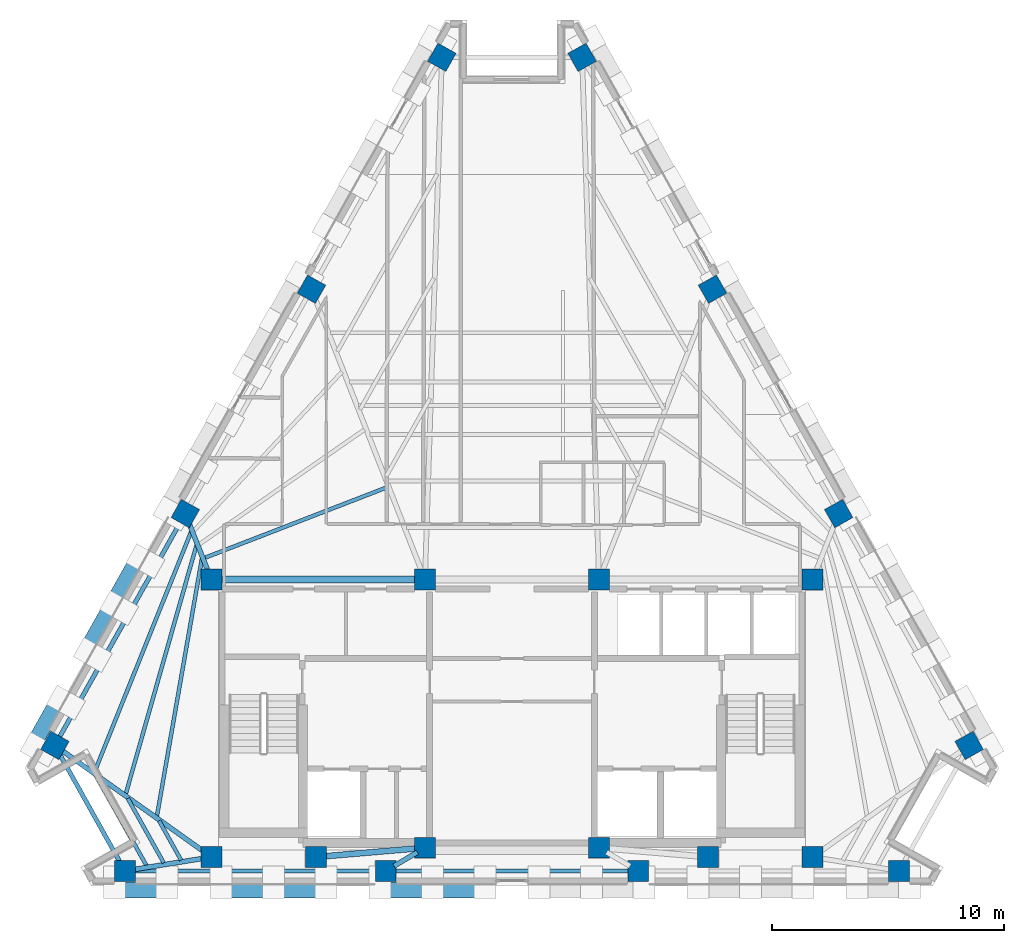
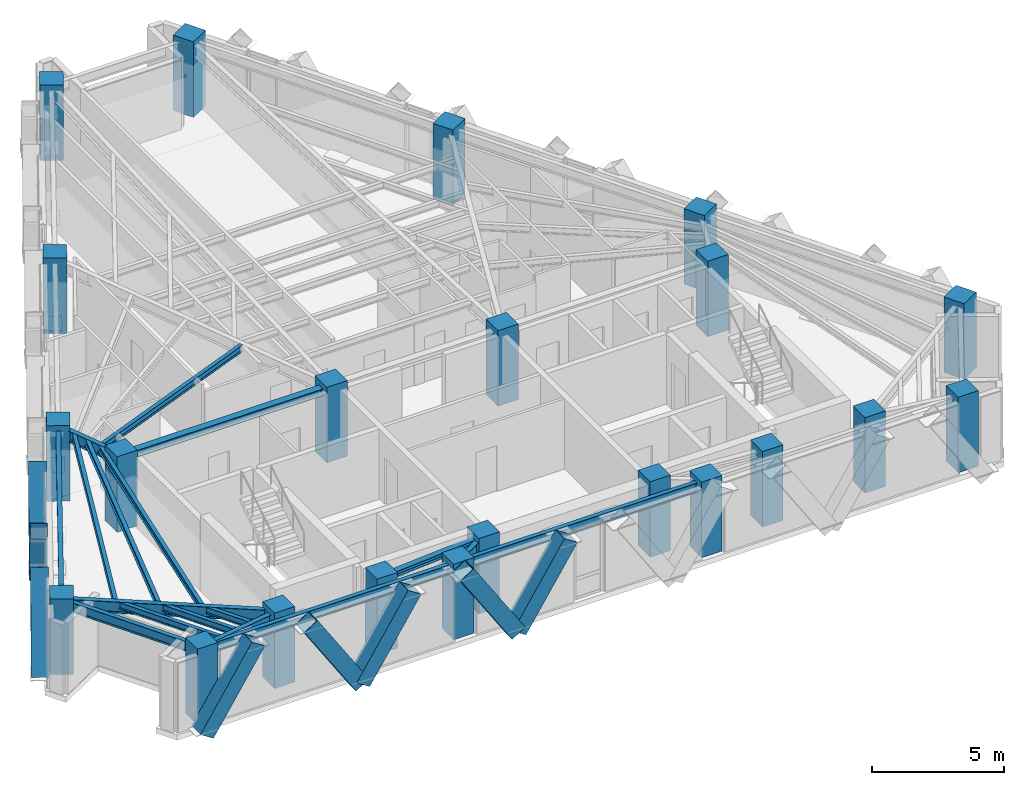
# One storey, part 1 of 12: 22 columns, 17 beams, 8 members.
"""IFC4 building model written with IfcOpenShell, lengths in metres."""

from ifc_helpers import new_model, si_unit, direction, frame, origin, origin_2d, place, context, subcontext, project, spatial, rectangle, hollow_rectangle, i_section, extrude, material, material_profile, profile_set, type_object, element, save


model = new_model("IFC4")

# Units and contexts
model_context = context("Model", 3, precision=1e-05, world=origin(), true_north=direction((0.0, 1.0)))
body_context = subcontext(model_context, "Body", "Model", "MODEL_VIEW")
ifc_project = project(units=[si_unit("LENGTHUNIT", "METRE"), si_unit("AREAUNIT", "SQUARE_METRE"), si_unit("VOLUMEUNIT", "CUBIC_METRE"), si_unit("PLANEANGLEUNIT", "RADIAN"), si_unit("MASSUNIT", "GRAM", prefix="KILO")], contexts=[model_context])

# Site, building, storey
site_placement = place(None, origin())
site = spatial("IfcSite", under=ifc_project, at=site_placement, CompositionType="ELEMENT")
building_placement = place(site_placement, origin())
building = spatial("IfcBuilding", under=site, at=building_placement, Name="Quenlor Broadcast Tower", CompositionType="ELEMENT")
storey_placement = place(building_placement, frame((0.0, 0.0, 190.39990234375)))
storey = spatial("IfcBuildingStorey", under=building, at=storey_placement, Name="L52", CompositionType="ELEMENT", Elevation=190.39990234375)

# Columns
ifc_material_1 = material(Name="Concrete C50/60", Category="concrete")
ifc_material_profile_1 = material_profile(ifc_material_1, rectangle(XDim=0.89990234375, YDim=0.89990234375, at=origin_2d()))
ifc_profile_set_1 = profile_set([ifc_material_profile_1], Name="Concrete C50/60 RC900x900")
column_type_1 = type_object("IfcColumnType", Name="Core Corner Column Upper Concrete C50/60 900", PredefinedType="COLUMN", material=ifc_profile_set_1)
for number, where, z_axis, x_axis, name in (
    (1, (-12.949951171875, -16.75, 0.0), (0.0, 0.0, 1.0), (1.0, 0.0, 0.0), "L52 Core Column CC1"),
    (2, (-8.449951171875, -16.75, 0.0), (0.0, 0.0, 1.0), (1.0, 0.0, 0.0), "L52 Core Column CC2"),
    (3, (-3.75, -16.35009765625, 0.0), (0.0, 0.0, 1.0), (1.0, 0.0, 0.0), "L52 Core Column CC3"),
    (4, (3.75, -16.35009765625, 0.0), (0.0, 0.0, 1.0), (1.0, 0.0, 0.0), "L52 Core Column CC4"),
    (5, (8.449951171875, -16.75, 0.0), (0.0, 0.0, 1.0), (1.0, 0.0, 0.0), "L52 Core Column CC5"),
    (6, (12.949951171875, -16.75, 0.0), (0.0, 0.0, 1.0), (1.0, 0.0, 0.0), "L52 Core Column CC6"),
    (7, (-12.949951171875, -4.800048828125, 0.0), (0.0, 0.0, 1.0), (1.0, 0.0, 0.0), "L52 Core Column CC7"),
    (8, (-3.75, -4.800048828125, 0.0), (0.0, 0.0, 1.0), (1.0, 0.0, 0.0), "L52 Core Column CC8"),
    (9, (3.75, -4.800048828125, 0.0), (0.0, 0.0, 1.0), (1.0, 0.0, 0.0), "L52 Core Column CC9"),
    (10, (12.949951171875, -4.800048828125, 0.0), (0.0, 0.0, 1.0), (1.0, 0.0, 0.0), "L52 Core Column CC10"),
):
    element("IfcColumn", number, at=place(storey_placement, frame(where, z_axis=z_axis, x_axis=x_axis)), inside=storey, type_object=column_type_1, Name=name, PredefinedType="COLUMN", context=body_context, shape_type="SweptSolid", body=[
        extrude(rectangle(XDim=0.89990234375, YDim=0.89990234375, at=origin_2d()), origin(), (0.0, 0.0, 1.0), 3.5),
    ])
ifc_material_2 = material(Name="Concrete C50/60", Category="concrete")
ifc_material_profile_2 = material_profile(ifc_material_2, rectangle(XDim=0.89990234375, YDim=0.89990234375, at=origin_2d()))
ifc_profile_set_2 = profile_set([ifc_material_profile_2], Name="Concrete C50/60 RC900x900")
column_type_2 = type_object("IfcColumnType", Name="Tower Perimeter Column Z4 Concrete C50/60 900", PredefinedType="COLUMN", material=ifc_profile_set_2)
for number, where, z_axis, x_axis, name in (
    (11, (-16.67578125, -17.35009765625, 0.0), (0.0, 0.0, 1.0), (0.0, 1.0, 0.0), "L52 Perimeter Column S1"),
    (12, (-5.437744140625, -17.35009765625, 0.0), (0.0, 0.0, 1.0), (0.0, 1.0, 0.0), "L52 Perimeter Column S2"),
    (13, (5.437744140625, -17.35009765625, 0.0), (0.0, 0.0, 1.0), (0.0, 1.0, 0.0), "L52 Perimeter Column S3"),
    (14, (16.67578125, -17.35009765625, 0.0), (0.0, 0.0, 1.0), (0.0, 1.0, 0.0), "L52 Perimeter Column S4"),
    (15, (19.696533203125, -11.941650390625, 0.0), (0.0, 0.0, 1.0), (0.871575139605, 0.490261946333, 0.0), "L52 Perimeter Column NE1"),
    (16, (14.077392578125, -1.952392578125, 0.0), (0.0, 0.0, 1.0), (0.871575139605, 0.490261946333, 0.0), "L52 Perimeter Column NE2"),
    (17, (8.6396484375, 7.71484375, 0.0), (0.0, 0.0, 1.0), (0.871575139605, 0.490261946333, 0.0), "L52 Perimeter Column NE3"),
    (18, (3.0205078125, 17.704345703125, 0.0), (0.0, 0.0, 1.0), (0.871575139605, 0.490261946333, 0.0), "L52 Perimeter Column NE4"),
    (19, (-3.0205078125, 17.704345703125, 0.0), (0.0, 0.0, 1.0), (-0.871575139605, 0.490261946333, 0.0), "L52 Perimeter Column NW1"),
    (20, (-8.6396484375, 7.71484375, 0.0), (0.0, 0.0, 1.0), (-0.871575139605, 0.490261946333, 0.0), "L52 Perimeter Column NW2"),
    (21, (-14.077392578125, -1.952392578125, 0.0), (0.0, 0.0, 1.0), (-0.871575139605, 0.490261946333, 0.0), "L52 Perimeter Column NW3"),
    (22, (-19.696533203125, -11.941650390625, 0.0), (0.0, 0.0, 1.0), (-0.871575139605, 0.490261946333, 0.0), "L52 Perimeter Column NW4"),
):
    element("IfcColumn", number, at=place(storey_placement, frame(where, z_axis=z_axis, x_axis=x_axis)), inside=storey, type_object=column_type_2, Name=name, PredefinedType="COLUMN", context=body_context, shape_type="SweptSolid", body=[
        extrude(rectangle(XDim=0.89990234375, YDim=0.89990234375, at=origin_2d()), origin(), (0.0, 0.0, 1.0), 3.5),
    ])

# Beams
ifc_material_3 = material(Name="Steel S355", Category="steel")
ifc_material_profile_3 = material_profile(ifc_material_3, i_section(OverallWidth=0.25390625, OverallDepth=0.25390625, WebThickness=0.008544921875, FlangeThickness=0.01416015625, FilletRadius=0.013916015625, at=origin_2d()))
ifc_profile_set_3 = profile_set([ifc_material_profile_3], Name="Steel S355 250UC72.9")
beam_type_1 = type_object("IfcBeamType", Name="Core Opening Lintel Beam Steel S355 250UC72.9", PredefinedType="LINTEL", material=ifc_profile_set_3)
beam_1_placement = place(storey_placement, frame((-8.09130859375, -16.719482421875, 3.123291015625), z_axis=(0.996399763903, 0.084779186679, 0.0), x_axis=(-0.084779186679, 0.996399763903, 0.0)))
element("IfcBeam", 23, at=beam_1_placement, inside=storey, type_object=beam_type_1, Name="L52 Core Opening Lintel Beam 4", PredefinedType="LINTEL", context=body_context, shape_type="SweptSolid", body=[
    extrude(i_section(OverallWidth=0.25390625, OverallDepth=0.25390625, WebThickness=0.008544921875, FlangeThickness=0.01416015625, FilletRadius=0.013916015625, at=origin_2d()), origin(), (0.0, 0.0, 1.0), 3.9970703125),
])
ifc_material_4 = material(Name="Steel S355", Category="steel")
ifc_material_profile_4 = material_profile(ifc_material_4, i_section(OverallWidth=0.306884765625, OverallDepth=0.314697265625, WebThickness=0.011962890625, FlangeThickness=0.018798828125, FilletRadius=0.0166015625, at=origin_2d()))
ifc_profile_set_4 = profile_set([ifc_material_profile_4], Name="Steel S355 310UC118")
beam_type_2 = type_object("IfcBeamType", Name="Core Tie Beam Steel S355 310UC118", PredefinedType="BEAM", material=ifc_profile_set_4)
beam_2_placement = place(storey_placement, frame((-12.590087890625, -4.800048828125, 3.0927734375), z_axis=(1.0, 0.0, 0.0), x_axis=(0.0, 1.0, 0.0)))
element("IfcBeam", 24, at=beam_2_placement, inside=storey, type_object=beam_type_2, Name="L52 Core Tie Beam 1", PredefinedType="BEAM", context=body_context, shape_type="SweptSolid", body=[
    extrude(i_section(OverallWidth=0.306884765625, OverallDepth=0.314697265625, WebThickness=0.011962890625, FlangeThickness=0.018798828125, FilletRadius=0.0166015625, at=origin_2d()), origin(), (0.0, 0.0, 1.0), 8.47998046875),
])

# Members
ifc_material_5 = material(Name="Steel S355", Category="steel")
ifc_material_profile_5 = material_profile(ifc_material_5, hollow_rectangle(XDim=0.679931640625, YDim=0.679931640625, WallThickness=0.02490234375, at=origin_2d()))
ifc_profile_set_5 = profile_set([ifc_material_profile_5], Name="Steel S355 RHS680x680x25")
member_type = type_object("IfcMemberType", Name="Perimeter Diagonal Lattice Brace Z3-Z4 Steel S355 RHS680x25", PredefinedType="BRACE", material=ifc_profile_set_5)
for number, where, z_axis, x_axis, name in (
    (25, (-3.41162109375, -18.169921875, -0.119873046875), (0.541794306908, 0.0, 0.840511111766), (0.0, 1.0, 0.0), "L52 Perimeter Diamond Lattice S-C3B"),
    (26, (-3.43896484375, -18.169921875, -0.119873046875), (-0.541794306908, 0.0, 0.840511111766), (0.0, -1.0, 0.0), "L52 Perimeter Diamond Lattice S-C4S"),
    (27, (-10.261962890625, -18.169921875, -0.119873046875), (0.541794306908, 0.0, 0.840511111766), (0.0, 1.0, 0.0), "L52 Perimeter Diamond Lattice S-C4B"),
    (28, (-10.289306640625, -18.169921875, -0.119873046875), (-0.541794306908, 0.0, 0.840511111766), (0.0, -1.0, 0.0), "L52 Perimeter Diamond Lattice S-C5S"),
    (29, (-17.1123046875, -18.169921875, -0.119873046875), (0.541794306908, 0.0, 0.840511111766), (0.0, 1.0, 0.0), "L52 Perimeter Diamond Lattice S-C5B"),
):
    element("IfcMember", number, at=place(storey_placement, frame(where, z_axis=z_axis, x_axis=x_axis)), inside=storey, type_object=member_type, Name=name, PredefinedType="BRACE", context=body_context, shape_type="SweptSolid", body=[
        extrude(hollow_rectangle(XDim=0.679931640625, YDim=0.679931640625, WallThickness=0.02490234375, at=origin_2d()), origin(), (0.0, 0.0, 1.0), 4.1640625),
    ])
member_1_placement = place(storey_placement, frame((-20.63916015625, -11.94482421875, -0.119873046875), z_axis=(0.269547055694, 0.479136497832, 0.835327840559), x_axis=(-0.871550060774, 0.49030652817, 0.0)))
element("IfcMember", 30, at=member_1_placement, inside=storey, type_object=member_type, Name="L52 Perimeter Diamond Lattice NW-C1S", PredefinedType="BRACE", context=body_context, shape_type="SweptSolid", body=[
    extrude(hollow_rectangle(XDim=0.679931640625, YDim=0.679931640625, WallThickness=0.02490234375, at=origin_2d()), origin(), (0.0, 0.0, 1.0), 4.18994140625),
])
member_2_placement = place(storey_placement, frame((-17.2236328125, -5.873046875, -0.119873046875), z_axis=(-0.269539530269, -0.479181387144, 0.835304519224), x_axis=(0.871575537125, -0.490261239633, 0.0)))
element("IfcMember", 31, at=member_2_placement, inside=storey, type_object=member_type, Name="L52 Perimeter Diamond Lattice NW-C1B", PredefinedType="BRACE", context=body_context, shape_type="SweptSolid", body=[
    extrude(hollow_rectangle(XDim=0.679931640625, YDim=0.679931640625, WallThickness=0.02490234375, at=origin_2d()), origin(), (0.0, 0.0, 1.0), 4.190185546875),
])
member_3_placement = place(storey_placement, frame((-17.2099609375, -5.8486328125, -0.119873046875), z_axis=(0.269547055694, 0.479136497832, 0.835327840559), x_axis=(-0.871550060774, 0.49030652817, 0.0)))
element("IfcMember", 32, at=member_3_placement, inside=storey, type_object=member_type, Name="L52 Perimeter Diamond Lattice NW-C2S", PredefinedType="BRACE", context=body_context, shape_type="SweptSolid", body=[
    extrude(hollow_rectangle(XDim=0.679931640625, YDim=0.679931640625, WallThickness=0.02490234375, at=origin_2d()), origin(), (0.0, 0.0, 1.0), 4.18994140625),
])

# Beams
ifc_material_6 = material(Name="Steel S355", Category="steel")
ifc_material_profile_6 = material_profile(ifc_material_6, i_section(OverallWidth=0.18994140625, OverallDepth=0.453857421875, WebThickness=0.008544921875, FlangeThickness=0.0126953125, FilletRadius=0.011474609375, at=origin_2d()))
ifc_profile_set_6 = profile_set([ifc_material_profile_6], Name="Steel S355 460UB67.1")
beam_type_3 = type_object("IfcBeamType", Name="Perimeter Spandrel Beam Z4 Steel S355 460UB67.1", PredefinedType="SPANDREL", material=ifc_profile_set_6)
beam_3_placement = place(storey_placement, frame((-16.265869140625, -17.35009765625, 3.023193359375), z_axis=(1.0, 0.0, 0.0), x_axis=(0.0, 1.0, 0.0)))
element("IfcBeam", 33, at=beam_3_placement, inside=storey, type_object=beam_type_3, Name="L52 Spandrel Beam S1-S2", PredefinedType="SPANDREL", context=body_context, shape_type="SweptSolid", body=[
    extrude(i_section(OverallWidth=0.18994140625, OverallDepth=0.453857421875, WebThickness=0.008544921875, FlangeThickness=0.0126953125, FilletRadius=0.011474609375, at=origin_2d()), origin(), (0.0, 0.0, 1.0), 10.41796875),
])
beam_4_placement = place(storey_placement, frame((-5.02783203125, -17.35009765625, 3.023193359375), z_axis=(1.0, 0.0, 0.0), x_axis=(0.0, 1.0, 0.0)))
element("IfcBeam", 34, at=beam_4_placement, inside=storey, type_object=beam_type_3, Name="L52 Spandrel Beam S2-S3", PredefinedType="SPANDREL", context=body_context, shape_type="SweptSolid", body=[
    extrude(i_section(OverallWidth=0.18994140625, OverallDepth=0.453857421875, WebThickness=0.008544921875, FlangeThickness=0.0126953125, FilletRadius=0.011474609375, at=origin_2d()), origin(), (0.0, 0.0, 1.0), 10.0556640625),
])
beam_5_placement = place(storey_placement, frame((-14.2783203125, -2.3095703125, 3.023193359375), z_axis=(-0.490272131974, -0.871569410093, 0.0), x_axis=(0.871569410093, -0.490272131974, 0.0)))
element("IfcBeam", 35, at=beam_5_placement, inside=storey, type_object=beam_type_3, Name="L52 Spandrel Beam NW3-NW4", PredefinedType="SPANDREL", context=body_context, shape_type="SweptSolid", body=[
    extrude(i_section(OverallWidth=0.18994140625, OverallDepth=0.453857421875, WebThickness=0.008544921875, FlangeThickness=0.0126953125, FilletRadius=0.011474609375, at=origin_2d()), origin(), (0.0, 0.0, 1.0), 10.6416015625),
])
beam_6_placement = place(storey_placement, frame((-19.49658203125, -12.2998046875, 3.023193359375), z_axis=(0.487647250206, -0.8730407547, 0.0), x_axis=(0.8730407547, 0.487647250206, 0.0)))
element("IfcBeam", 36, at=beam_6_placement, inside=storey, type_object=beam_type_3, Name="L52 Spandrel Beam NW4-S1", PredefinedType="SPANDREL", context=body_context, shape_type="SweptSolid", body=[
    extrude(i_section(OverallWidth=0.18994140625, OverallDepth=0.453857421875, WebThickness=0.008544921875, FlangeThickness=0.0126953125, FilletRadius=0.011474609375, at=origin_2d()), origin(), (0.0, 0.0, 1.0), 5.37451171875),
])
ifc_material_7 = material(Name="Steel S355", Category="steel")
ifc_material_profile_7 = material_profile(ifc_material_7, i_section(OverallWidth=0.166015625, OverallDepth=0.30712890625, WebThickness=0.006591796875, FlangeThickness=0.01171875, FilletRadius=0.011474609375, at=origin_2d()))
ifc_profile_set_7 = profile_set([ifc_material_profile_7], Name="Steel S355 310UB46.2")
beam_type_4 = type_object("IfcBeamType", Name="Tower Composite Joist Z4-Z5 Steel S355 310UB46.2", PredefinedType="JOIST", material=ifc_profile_set_7)
beam_7_placement = place(storey_placement, frame((-13.236083984375, -3.85986328125, 3.096435546875), z_axis=(0.932639299023, 0.360810113381, 0.0), x_axis=(-0.360810113381, 0.932639299023, 0.0)))
element("IfcBeam", 37, at=beam_7_placement, inside=storey, type_object=beam_type_4, Name="L52 Secondary Composite Joist 7", PredefinedType="JOIST", context=body_context, shape_type="SweptSolid", body=[
    extrude(i_section(OverallWidth=0.166015625, OverallDepth=0.30712890625, WebThickness=0.006591796875, FlangeThickness=0.01171875, FilletRadius=0.011474609375, at=origin_2d()), origin(), (0.0, 0.0, 1.0), 8.413330078125),
])
beam_8_placement = place(storey_placement, frame((-15.297607421875, -14.98828125, 3.096435546875), z_axis=(0.172003691938, 0.985096304916, 0.0), x_axis=(-0.985096304916, 0.172003691938, 0.0)))
element("IfcBeam", 38, at=beam_8_placement, inside=storey, type_object=beam_type_4, Name="L52 Secondary Composite Joist 13", PredefinedType="JOIST", context=body_context, shape_type="SweptSolid", body=[
    extrude(i_section(OverallWidth=0.166015625, OverallDepth=0.30712890625, WebThickness=0.006591796875, FlangeThickness=0.01171875, FilletRadius=0.011474609375, at=origin_2d()), origin(), (0.0, 0.0, 1.0), 11.274169921875),
])
beam_9_placement = place(storey_placement, frame((-16.638671875, -14.028564453125, 3.096435546875), z_axis=(0.273447576454, 0.961886907558, 0.0), x_axis=(-0.961886907558, 0.273447576454, 0.0)))
element("IfcBeam", 39, at=beam_9_placement, inside=storey, type_object=beam_type_4, Name="L52 Secondary Composite Joist 14", PredefinedType="JOIST", context=body_context, shape_type="SweptSolid", body=[
    extrude(i_section(OverallWidth=0.166015625, OverallDepth=0.30712890625, WebThickness=0.006591796875, FlangeThickness=0.01171875, FilletRadius=0.011474609375, at=origin_2d()), origin(), (0.0, 0.0, 1.0), 11.142333984375),
])
beam_10_placement = place(storey_placement, frame((-17.97998046875, -13.069580078125, 3.096435546875), z_axis=(0.373094895103, 0.927793187757, 0.0), x_axis=(-0.927793187757, 0.373094895103, 0.0)))
element("IfcBeam", 40, at=beam_10_placement, inside=storey, type_object=beam_type_4, Name="L52 Secondary Composite Joist 15", PredefinedType="JOIST", context=body_context, shape_type="SweptSolid", body=[
    extrude(i_section(OverallWidth=0.166015625, OverallDepth=0.30712890625, WebThickness=0.006591796875, FlangeThickness=0.01171875, FilletRadius=0.011474609375, at=origin_2d()), origin(), (0.0, 0.0, 1.0), 11.13525390625),
])
beam_11_placement = place(storey_placement, frame((-14.255859375, -16.88427734375, 3.096435546875), z_axis=(-0.487590799665, 0.873072283423, 0.0), x_axis=(-0.873072283423, -0.487590799665, 0.0)))
element("IfcBeam", 41, at=beam_11_placement, inside=storey, type_object=beam_type_4, Name="L52 Secondary Composite Joist 19", PredefinedType="JOIST", context=body_context, shape_type="SweptSolid", body=[
    extrude(i_section(OverallWidth=0.166015625, OverallDepth=0.30712890625, WebThickness=0.006591796875, FlangeThickness=0.01171875, FilletRadius=0.011474609375, at=origin_2d()), origin(), (0.0, 0.0, 1.0), 1.9462890625),
])
beam_12_placement = place(storey_placement, frame((-15.0009765625, -17.004150390625, 3.096435546875), z_axis=(-0.487646119388, 0.87304138633, 0.0), x_axis=(-0.87304138633, -0.487646119388, 0.0)))
element("IfcBeam", 42, at=beam_12_placement, inside=storey, type_object=beam_type_4, Name="L52 Secondary Composite Joist 20", PredefinedType="JOIST", context=body_context, shape_type="SweptSolid", body=[
    extrude(i_section(OverallWidth=0.166015625, OverallDepth=0.30712890625, WebThickness=0.006591796875, FlangeThickness=0.01171875, FilletRadius=0.011474609375, at=origin_2d()), origin(), (0.0, 0.0, 1.0), 3.18505859375),
])
beam_13_placement = place(storey_placement, frame((-15.74609375, -17.124267578125, 3.096435546875), z_axis=(-0.487604899573, 0.873064408799, 0.0), x_axis=(-0.873064408799, -0.487604899573, 0.0)))
element("IfcBeam", 43, at=beam_13_placement, inside=storey, type_object=beam_type_4, Name="L52 Secondary Composite Joist 21", PredefinedType="JOIST", context=body_context, shape_type="SweptSolid", body=[
    extrude(i_section(OverallWidth=0.166015625, OverallDepth=0.30712890625, WebThickness=0.006591796875, FlangeThickness=0.01171875, FilletRadius=0.011474609375, at=origin_2d()), origin(), (0.0, 0.0, 1.0), 4.424072265625),
])
ifc_material_8 = material(Name="Steel S355", Category="steel")
ifc_material_profile_8 = material_profile(ifc_material_8, i_section(OverallWidth=0.208984375, OverallDepth=0.5283203125, WebThickness=0.009521484375, FlangeThickness=0.01318359375, FilletRadius=0.013916015625, at=origin_2d()))
ifc_profile_set_8 = profile_set([ifc_material_profile_8], Name="Steel S355 530UB82.0")
beam_type_5 = type_object("IfcBeamType", Name="Tower Primary Floor Beam Z4 Steel S355 530UB82.0", PredefinedType="BEAM", material=ifc_profile_set_8)
beam_14_placement = place(storey_placement, frame((-16.27099609375, -17.284912109375, 2.986083984375), z_axis=(0.987268490875, 0.159062650942, 0.0), x_axis=(-0.159062650942, 0.987268490875, 0.0)))
element("IfcBeam", 44, at=beam_14_placement, inside=storey, type_object=beam_type_5, Name="L52 Primary Radial Beam S1", PredefinedType="BEAM", context=body_context, shape_type="SweptSolid", body=[
    extrude(i_section(OverallWidth=0.208984375, OverallDepth=0.5283203125, WebThickness=0.009521484375, FlangeThickness=0.01318359375, FilletRadius=0.013916015625, at=origin_2d()), origin(), (0.0, 0.0, 1.0), 2.98388671875),
])
beam_15_placement = place(storey_placement, frame((-5.085205078125, -17.14111328125, 2.986083984375), z_axis=(0.86032875258, 0.509739578102, 0.0), x_axis=(-0.509739578102, 0.86032875258, 0.0)))
element("IfcBeam", 45, at=beam_15_placement, inside=storey, type_object=beam_type_5, Name="L52 Primary Radial Beam S2", PredefinedType="BEAM", context=body_context, shape_type="SweptSolid", body=[
    extrude(i_section(OverallWidth=0.208984375, OverallDepth=0.5283203125, WebThickness=0.009521484375, FlangeThickness=0.01318359375, FilletRadius=0.013916015625, at=origin_2d()), origin(), (0.0, 0.0, 1.0), 1.171875),
])
beam_16_placement = place(storey_placement, frame((-13.926513671875, -2.33349609375, 2.986083984375), z_axis=(0.368110359783, -0.92978210513, 0.0), x_axis=(0.92978210513, 0.368110359783, 0.0)))
element("IfcBeam", 46, at=beam_16_placement, inside=storey, type_object=beam_type_5, Name="L52 Primary Radial Beam NW3", PredefinedType="BEAM", context=body_context, shape_type="SweptSolid", body=[
    extrude(i_section(OverallWidth=0.208984375, OverallDepth=0.5283203125, WebThickness=0.009521484375, FlangeThickness=0.01318359375, FilletRadius=0.013916015625, at=origin_2d()), origin(), (0.0, 0.0, 1.0), 2.27294921875),
])
beam_17_placement = place(storey_placement, frame((-19.362548828125, -12.1796875, 2.986083984375), z_axis=(0.814329531787, -0.580402802938, 0.0), x_axis=(0.580402802938, 0.814329531787, 0.0)))
element("IfcBeam", 47, at=beam_17_placement, inside=storey, type_object=beam_type_5, Name="L52 Primary Radial Beam NW4", PredefinedType="BEAM", context=body_context, shape_type="SweptSolid", body=[
    extrude(i_section(OverallWidth=0.208984375, OverallDepth=0.5283203125, WebThickness=0.009521484375, FlangeThickness=0.01318359375, FilletRadius=0.013916015625, at=origin_2d()), origin(), (0.0, 0.0, 1.0), 7.49462890625),
])

save(model, "model.ifc")
